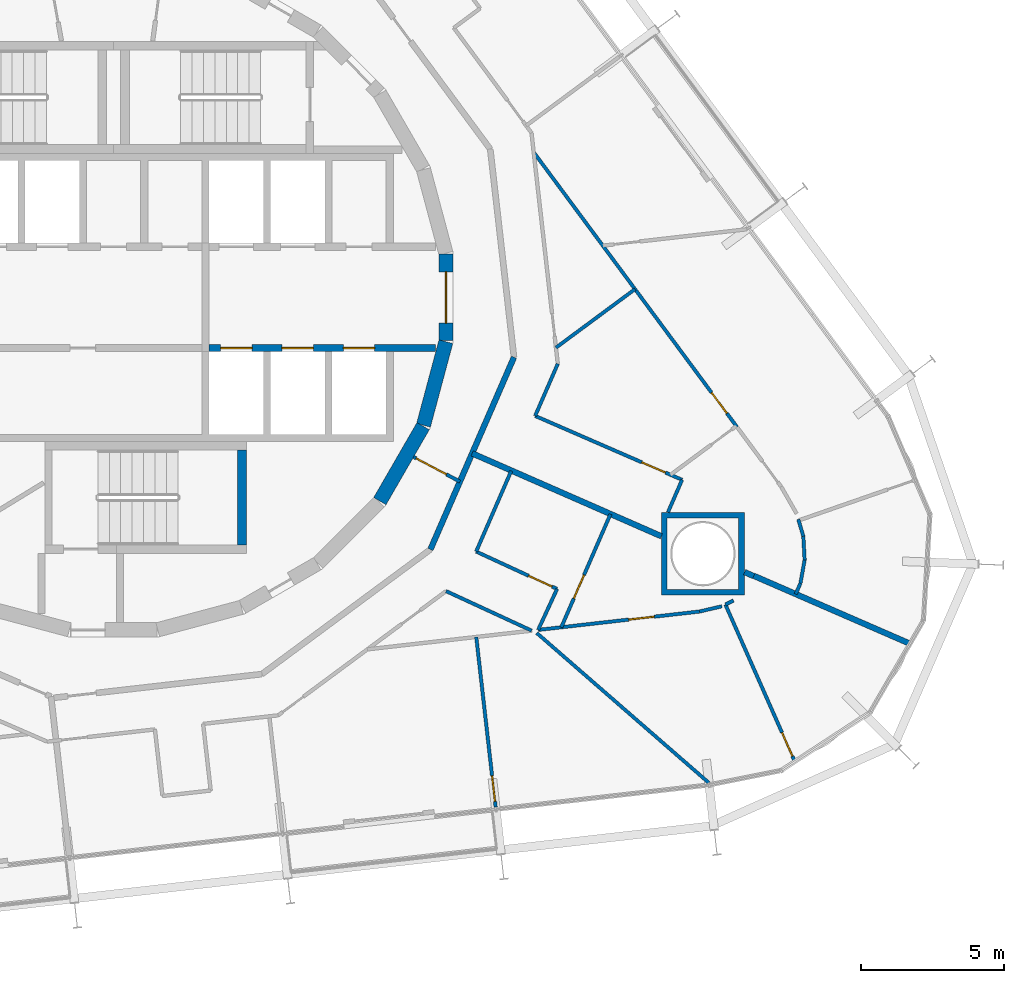
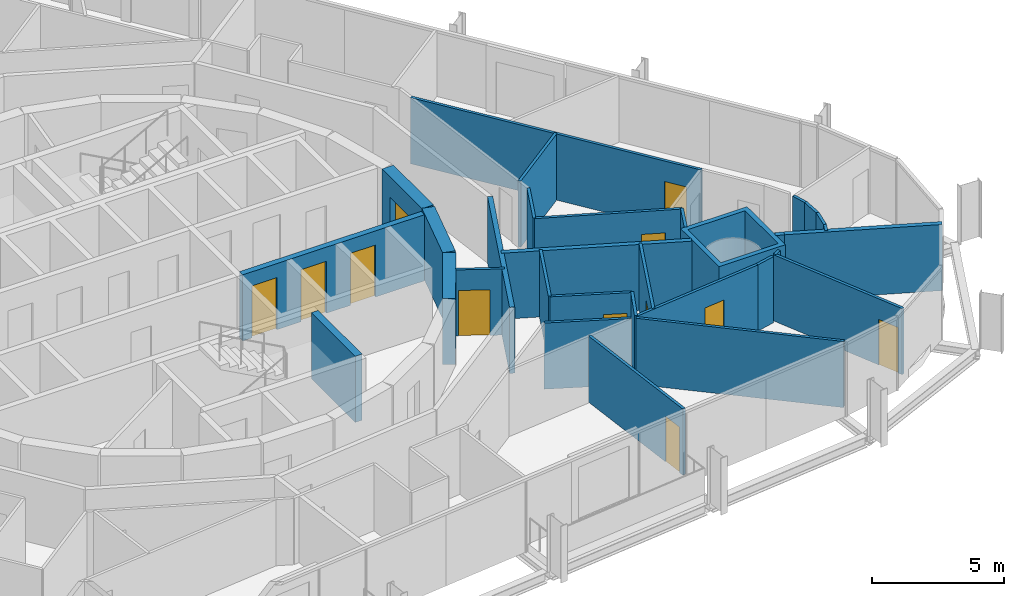
# One storey, part 19 of 23: 31 walls, 12 doors, 12 openings.
"""IFC4 building model written with IfcOpenShell, lengths in metres."""

from ifc_helpers import new_model, si_unit, direction, frame, frame_2d, origin, place, context, subcontext, project, spatial, polyline, rectangle, outline, extrude, material, layer, layer_set, type_object, element, fill, save


model = new_model("IFC4")

# Units and contexts
model_context = context("Model", 3, precision=1e-05, world=origin(), true_north=direction((0.0, 1.0)))
body_context = subcontext(model_context, "Body", "Model", "MODEL_VIEW")
ifc_project = project(units=[si_unit("LENGTHUNIT", "METRE"), si_unit("AREAUNIT", "SQUARE_METRE"), si_unit("VOLUMEUNIT", "CUBIC_METRE"), si_unit("PLANEANGLEUNIT", "RADIAN"), si_unit("MASSUNIT", "GRAM", prefix="KILO")], contexts=[model_context])

# Site, building, storey
site_placement = place(None, origin())
site = spatial("IfcSite", under=ifc_project, at=site_placement, CompositionType="ELEMENT")
building_placement = place(site_placement, origin())
building = spatial("IfcBuilding", under=site, at=building_placement, Name="Spindle Arch Residences", CompositionType="ELEMENT")
storey_placement = place(building_placement, frame((0.0, 0.0, 104.699951171875)))
storey = spatial("IfcBuildingStorey", under=building, at=storey_placement, Name="L25", CompositionType="ELEMENT", Elevation=104.699951171875)

# Walls
ifc_material_1 = material(Name="Concrete C50/60", Category="concrete")
ifc_layer_1 = layer(ifc_material_1, 0.5)
ifc_layer_set_1 = layer_set([ifc_layer_1], Name="Core outline wall 500")
wall_type_1 = type_object("IfcWallType", Name="Core outline wall 500", PredefinedType="SHEAR", material=ifc_layer_set_1)
for number, where, z_axis, x_axis, name in (
    (1, (9.32861328125, -7.13671875, 0.0), (0.0, 0.0, 1.0), (0.500087131594, 0.865975092491, 0.0), "Core outline wall 4"),
    (2, (10.858154296875, -4.479248046875, 0.0), (0.0, 0.0, 1.0), (0.258734743916, 0.965948410781, 0.0), "Core outline wall 5"),
):
    element("IfcWall", number, at=place(storey_placement, frame(where, z_axis=z_axis, x_axis=x_axis)), inside=storey, type_object=wall_type_1, Name=name, PredefinedType="SHEAR", context=body_context, shape_type="SweptSolid", body=[
        extrude(rectangle(XDim=3.03271484375, YDim=0.5, at=frame_2d((1.516357421875, 0.0))), origin(), (0.0, 0.0, 1.0), 3.050048828125),
    ])

# Wall, opening, door
wall_1_placement = place(storey_placement, frame((11.647216796875, -1.516357421875, 0.0), z_axis=(0.0, 0.0, 1.0), x_axis=(0.0, 1.0, 0.0)))
wall_1 = element("IfcWall", 3, at=wall_1_placement, inside=storey, type_object=wall_type_1, Name="Core outline wall 6", PredefinedType="SHEAR", context=body_context, shape_type="SweptSolid", body=[
    extrude(rectangle(XDim=3.03271484375, YDim=0.5, at=frame_2d((1.516357421875, 0.0))), origin(), (0.0, 0.0, 1.0), 3.050048828125),
])
opening_1_placement = place(wall_1_placement, frame((0.6162109375, 0.0, 0.0)))
opening_1 = element("IfcOpeningElement", 4, at=opening_1_placement, cuts=wall_1, Name="Opening R2C0-FE01", PredefinedType="OPENING", context=body_context, shape_type="SweptSolid", body=[
    extrude(rectangle(XDim=1.800048828125, YDim=2.10009765625, at=frame_2d((0.89990234375, 1.050048828125))), frame((0.0, 0.260009765625, 0.0), z_axis=(0.0, -1.0, 0.0), x_axis=(1.0, 0.0, 0.0)), (0.0, 0.0, 1.0), 0.52001953125),
])
ifc_material_2 = material(Name="Steel, fire-resisting door", Category="steel")
door_type_1 = type_object("IfcDoorType", Name="Fire-lift lobby door 1800x2100", OperationType="DOUBLE_DOOR_SINGLE_SWING", PredefinedType="DOOR", material=ifc_material_2)
door_1_placement = place(opening_1_placement, origin())
door_1 = element("IfcDoor", 5, at=door_1_placement, inside=storey, type_object=door_type_1, Name="Fire-lift lobby door R2C0-FE01", OperationType="DOUBLE_DOOR_SINGLE_SWING", OverallHeight=2.10009765625, OverallWidth=1.800048828125, PredefinedType="DOOR", context=body_context, shape_type="SweptSolid", body=[
    extrude(rectangle(XDim=1.800048828125, YDim=2.10009765625, at=frame_2d((0.89990234375, 1.050048828125))), frame((0.0, 0.02490234375, 0.0), z_axis=(0.0, -1.0, 0.0), x_axis=(1.0, 0.0, 0.0)), (0.0, 0.0, 1.0), 0.050048828125),
])
fill(opening_1, door_1)

ifc_material_3 = material(Name="Plasterboard on steel studs", Category="steel")
ifc_layer_2 = layer(ifc_material_3, 0.1201171875)
ifc_layer_set_2 = layer_set([ifc_layer_2], Name="Corridor division wall 120")
wall_type_2 = type_object("IfcWallType", Name="Corridor division wall 120", PredefinedType="PARTITIONING", material=ifc_layer_set_2)
wall_2_placement = place(storey_placement, frame((10.510986328125, -5.5888671875, 0.0), z_axis=(0.0, 0.0, 1.0), x_axis=(0.882962602189, -0.469443333253, 0.0)))
wall_2 = element("IfcWall", 6, at=wall_2_placement, inside=storey, type_object=wall_type_2, Name="Corridor division wall R2C0-W002", PredefinedType="PARTITIONING", context=body_context, shape_type="SweptSolid", body=[
    extrude(rectangle(XDim=1.837890625, YDim=0.1201171875, at=frame_2d((0.9189453125, 0.0))), origin(), (0.0, 0.0, 1.0), 3.050048828125),
])
opening_2_placement = place(wall_2_placement, frame((0.10009765625, 0.0, 0.0)))
opening_2 = element("IfcOpeningElement", 7, at=opening_2_placement, cuts=wall_2, Name="Opening R2C0-CD02", PredefinedType="OPENING", context=body_context, shape_type="SweptSolid", body=[
    extrude(rectangle(XDim=1.199951171875, YDim=2.10009765625, at=frame_2d((0.60009765625, 1.050048828125))), frame((0.0, 0.070068359375, 0.0), z_axis=(0.0, -1.0, 0.0), x_axis=(1.0, 0.0, 0.0)), (0.0, 0.0, 1.0), 0.14013671875),
])
ifc_material_4 = material(Name="Steel, fire-resisting door", Category="steel")
door_type_2 = type_object("IfcDoorType", Name="Corridor division door 1200x2100", OperationType="NOTDEFINED", PredefinedType="DOOR", material=ifc_material_4)
door_2_placement = place(opening_2_placement, origin())
door_2 = element("IfcDoor", 8, at=door_2_placement, inside=storey, type_object=door_type_2, Name="Corridor division door R2C0-CD02", OperationType="DOUBLE_DOOR_SINGLE_SWING", OverallHeight=2.10009765625, OverallWidth=1.199951171875, PredefinedType="DOOR", context=body_context, shape_type="SweptSolid", body=[
    extrude(rectangle(XDim=1.199951171875, YDim=2.10009765625, at=frame_2d((0.60009765625, 1.050048828125))), frame((0.0, 0.02490234375, 0.0), z_axis=(0.0, -1.0, 0.0), x_axis=(1.0, 0.0, 0.0)), (0.0, 0.0, 1.0), 0.050048828125),
])
fill(opening_2, door_2)

# Wall
ifc_material_5 = material(Name="Calcium silicate block, plastered")
ifc_layer_3 = layer(ifc_material_5, 0.199951171875)
ifc_layer_set_3 = layer_set([ifc_layer_3], Name="Corridor wall 200")
wall_type_3 = type_object("IfcWallType", Name="Corridor wall 200", PredefinedType="STANDARD", material=ifc_layer_set_3)
wall_3_placement = place(storey_placement, frame((11.10009765625, -8.829345703125, 0.0), z_axis=(0.0, 0.0, 1.0), x_axis=(0.398741918631, 0.917063183388, 0.0)))
element("IfcWall", 9, at=wall_3_placement, inside=storey, type_object=wall_type_3, Name="Corridor wall R2C0-W004", PredefinedType="STANDARD", context=body_context, shape_type="SweptSolid", body=[
    extrude(rectangle(XDim=7.341796875, YDim=0.199951171875, at=frame_2d((3.6708984375, 0.0))), origin(), (0.0, 0.0, 1.0), 3.050048828125),
])

# Wall, openings, doors
ifc_material_6 = material(Name="Concrete C50/60", Category="concrete")
ifc_layer_4 = layer(ifc_material_6, 0.25)
ifc_layer_set_4 = layer_set([ifc_layer_4], Name="Fire-lift shaft wall 250")
wall_type_4 = type_object("IfcWallType", Name="Fire-lift shaft wall 250", PredefinedType="SHEAR", material=ifc_layer_set_4)
wall_4_placement = place(storey_placement, frame((3.35009765625, -1.77490234375, 0.0), z_axis=(0.0, 0.0, 1.0), x_axis=(1.0, 0.0, 0.0)))
wall_4 = element("IfcWall", 10, at=wall_4_placement, inside=storey, type_object=wall_type_4, Name="Lift shaft front wall SE", PredefinedType="SHEAR", context=body_context, shape_type="SweptSolid", body=[
    extrude(rectangle(XDim=7.929931640625, YDim=0.25, at=frame_2d((3.96484375, 0.0))), origin(), (0.0, 0.0, 1.0), 3.050048828125),
])
opening_3_placement = place(wall_4_placement, frame((0.39990234375, 0.0, 0.0)))
opening_3 = element("IfcOpeningElement", 11, at=opening_3_placement, cuts=wall_4, Name="Opening R2C0-FLD01", PredefinedType="OPENING", context=body_context, shape_type="SweptSolid", body=[
    extrude(rectangle(XDim=1.10009765625, YDim=2.39990234375, at=frame_2d((0.550048828125, 1.199951171875))), frame((0.0, 0.135009765625, 0.0), z_axis=(0.0, -1.0, 0.0), x_axis=(1.0, 0.0, 0.0)), (0.0, 0.0, 1.0), 0.27001953125),
])
opening_4_placement = place(wall_4_placement, frame((2.550048828125, 0.0, 0.0)))
opening_4 = element("IfcOpeningElement", 12, at=opening_4_placement, cuts=wall_4, Name="Opening R2C0-FLD02", PredefinedType="OPENING", context=body_context, shape_type="SweptSolid", body=[
    extrude(rectangle(XDim=1.10009765625, YDim=2.39990234375, at=frame_2d((0.550048828125, 1.199951171875))), frame((0.0, 0.135009765625, 0.0), z_axis=(0.0, -1.0, 0.0), x_axis=(1.0, 0.0, 0.0)), (0.0, 0.0, 1.0), 0.27001953125),
])
opening_5_placement = place(wall_4_placement, frame((4.699951171875, 0.0, 0.0)))
opening_5 = element("IfcOpeningElement", 13, at=opening_5_placement, cuts=wall_4, Name="Opening R2C0-FLD03", PredefinedType="OPENING", context=body_context, shape_type="SweptSolid", body=[
    extrude(rectangle(XDim=1.10009765625, YDim=2.39990234375, at=frame_2d((0.550048828125, 1.199951171875))), frame((0.0, 0.135009765625, 0.0), z_axis=(0.0, -1.0, 0.0), x_axis=(1.0, 0.0, 0.0)), (0.0, 0.0, 1.0), 0.27001953125),
])
ifc_material_7 = material(Name="Steel, fire-resisting landing door", Category="steel")
door_type_3 = type_object("IfcDoorType", Name="Fire-fighting lift landing door 1100x2400", OperationType="DOUBLE_DOOR_SLIDING", PredefinedType="DOOR", material=ifc_material_7)
door_3_placement = place(opening_3_placement, origin())
door_3 = element("IfcDoor", 14, at=door_3_placement, inside=storey, type_object=door_type_3, Name="Fire-fighting lift landing door R2C0-FLD01", OperationType="DOUBLE_DOOR_SLIDING", OverallHeight=2.39990234375, OverallWidth=1.10009765625, PredefinedType="DOOR", context=body_context, shape_type="SweptSolid", body=[
    extrude(rectangle(XDim=1.10009765625, YDim=2.39990234375, at=frame_2d((0.550048828125, 1.199951171875))), frame((0.0, 0.02490234375, 0.0), z_axis=(0.0, -1.0, 0.0), x_axis=(1.0, 0.0, 0.0)), (0.0, 0.0, 1.0), 0.050048828125),
])
fill(opening_3, door_3)
door_4_placement = place(opening_4_placement, origin())
door_4 = element("IfcDoor", 15, at=door_4_placement, inside=storey, type_object=door_type_3, Name="Fire-fighting lift landing door R2C0-FLD02", OperationType="DOUBLE_DOOR_SLIDING", OverallHeight=2.39990234375, OverallWidth=1.10009765625, PredefinedType="DOOR", context=body_context, shape_type="SweptSolid", body=[
    extrude(rectangle(XDim=1.10009765625, YDim=2.39990234375, at=frame_2d((0.550048828125, 1.199951171875))), frame((0.0, 0.02490234375, 0.0), z_axis=(0.0, -1.0, 0.0), x_axis=(1.0, 0.0, 0.0)), (0.0, 0.0, 1.0), 0.050048828125),
])
fill(opening_4, door_4)
door_5_placement = place(opening_5_placement, origin())
door_5 = element("IfcDoor", 16, at=door_5_placement, inside=storey, type_object=door_type_3, Name="Fire-fighting lift landing door R2C0-FLD03", OperationType="DOUBLE_DOOR_SLIDING", OverallHeight=2.39990234375, OverallWidth=1.10009765625, PredefinedType="DOOR", context=body_context, shape_type="SweptSolid", body=[
    extrude(rectangle(XDim=1.10009765625, YDim=2.39990234375, at=frame_2d((0.550048828125, 1.199951171875))), frame((0.0, 0.02490234375, 0.0), z_axis=(0.0, -1.0, 0.0), x_axis=(1.0, 0.0, 0.0)), (0.0, 0.0, 1.0), 0.050048828125),
])
fill(opening_5, door_5)

# Wall
ifc_material_8 = material(Name="Plasterboard on steel studs", Category="steel")
ifc_layer_5 = layer(ifc_material_8, 0.1201171875)
ifc_layer_set_5 = layer_set([ifc_layer_5], Name="Flat partition 120")
wall_type_5 = type_object("IfcWallType", Name="Flat partition 120", PredefinedType="PARTITIONING", material=ifc_layer_set_5)
wall_5_placement = place(storey_placement, frame((19.4228515625, -7.52783203125, 0.0), z_axis=(0.0, 0.0, 1.0), x_axis=(0.398733304334, 0.917066928863, 0.0)))
element("IfcWall", 17, at=wall_5_placement, inside=storey, type_object=wall_type_5, Name="Flat partition R2C0-W035", PredefinedType="PARTITIONING", context=body_context, shape_type="SweptSolid", body=[
    extrude(rectangle(XDim=1.2412109375, YDim=0.1201171875, at=frame_2d((0.62060546875, 0.0))), origin(), (0.0, 0.0, 1.0), 3.050048828125),
])

# Wall, opening, door
wall_6_placement = place(storey_placement, frame((19.917724609375, -6.3896484375, 0.0), z_axis=(0.0, 0.0, 1.0), x_axis=(-0.917051386612, 0.39876904884, 0.0)))
wall_6 = element("IfcWall", 18, at=wall_6_placement, inside=storey, type_object=wall_type_5, Name="Flat partition R2C0-W036", PredefinedType="PARTITIONING", context=body_context, shape_type="SweptSolid", body=[
    extrude(rectangle(XDim=5.613525390625, YDim=0.1201171875, at=frame_2d((2.806640625, 0.0))), origin(), (0.0, 0.0, 1.0), 3.050048828125),
])
opening_6_placement = place(wall_6_placement, frame((0.641357421875, 0.0, 0.0)))
opening_6 = element("IfcOpeningElement", 19, at=opening_6_placement, cuts=wall_6, Name="Opening R2C0-ID02A", PredefinedType="OPENING", context=body_context, shape_type="SweptSolid", body=[
    extrude(rectangle(XDim=0.89990234375, YDim=2.0, at=frame_2d((0.449951171875, 1.0))), frame((0.0, 0.070068359375, 0.0), z_axis=(0.0, -1.0, 0.0), x_axis=(1.0, 0.0, 0.0)), (0.0, 0.0, 1.0), 0.14013671875),
])
ifc_material_9 = material(Name="Timber door set", Category="wood")
door_type_4 = type_object("IfcDoorType", Name="Room door 900x2000", OperationType="NOTDEFINED", PredefinedType="DOOR", material=ifc_material_9)
door_6_placement = place(opening_6_placement, origin())
door_6 = element("IfcDoor", 20, at=door_6_placement, inside=storey, type_object=door_type_4, Name="Room door R2C0-ID02A", OperationType="SINGLE_SWING_LEFT", OverallHeight=2.0, OverallWidth=0.89990234375, PredefinedType="DOOR", context=body_context, shape_type="SweptSolid", body=[
    extrude(rectangle(XDim=0.89990234375, YDim=2.0, at=frame_2d((0.449951171875, 1.0))), frame((0.0, 0.02490234375, 0.0), z_axis=(0.0, -1.0, 0.0), x_axis=(1.0, 0.0, 0.0)), (0.0, 0.0, 1.0), 0.050048828125),
])
fill(opening_6, door_6)

# Wall
wall_7_placement = place(storey_placement, frame((14.769775390625, -4.151123046875, 0.0), z_axis=(0.0, 0.0, 1.0), x_axis=(0.39868125503, 0.917089557725, 0.0)))
element("IfcWall", 21, at=wall_7_placement, inside=storey, type_object=wall_type_5, Name="Flat partition R2C0-W037", PredefinedType="PARTITIONING", context=body_context, shape_type="SweptSolid", body=[
    extrude(rectangle(XDim=1.990234375, YDim=0.1201171875, at=frame_2d((0.9951171875, 0.0))), origin(), (0.0, 0.0, 1.0), 3.050048828125),
])

# Wall, opening, door
wall_8_placement = place(storey_placement, frame((21.842041015625, -4.539794921875, 0.0), z_axis=(0.0, 0.0, 1.0), x_axis=(-0.59481744951, 0.803860809941, 0.0)))
wall_8 = element("IfcWall", 22, at=wall_8_placement, inside=storey, type_object=wall_type_5, Name="Flat partition R2C0-W038", PredefinedType="PARTITIONING", context=body_context, shape_type="SweptSolid", body=[
    extrude(rectangle(XDim=11.9755859375, YDim=0.1201171875, at=frame_2d((5.98779296875, 0.0))), origin(), (0.0, 0.0, 1.0), 3.050048828125),
])
opening_7_placement = place(wall_8_placement, frame((0.60009765625, 0.0, 0.0)))
opening_7 = element("IfcOpeningElement", 23, at=opening_7_placement, cuts=wall_8, Name="Opening R2C0-ID04", PredefinedType="OPENING", context=body_context, shape_type="SweptSolid", body=[
    extrude(rectangle(XDim=0.89990234375, YDim=2.10009765625, at=frame_2d((0.449951171875, 1.050048828125))), frame((0.0, 0.070068359375, 0.0), z_axis=(0.0, -1.0, 0.0), x_axis=(1.0, 0.0, 0.0)), (0.0, 0.0, 1.0), 0.14013671875),
])
ifc_material_10 = material(Name="Timber door set", Category="wood")
door_type_5 = type_object("IfcDoorType", Name="Room door 900x2100", OperationType="NOTDEFINED", PredefinedType="DOOR", material=ifc_material_10)
door_7_placement = place(opening_7_placement, origin())
door_7 = element("IfcDoor", 24, at=door_7_placement, inside=storey, type_object=door_type_5, Name="Room door R2C0-ID04", OperationType="SINGLE_SWING_LEFT", OverallHeight=2.10009765625, OverallWidth=0.89990234375, PredefinedType="DOOR", context=body_context, shape_type="SweptSolid", body=[
    extrude(rectangle(XDim=0.89990234375, YDim=2.10009765625, at=frame_2d((0.449951171875, 1.050048828125))), frame((0.0, 0.02490234375, 0.0), z_axis=(0.0, -1.0, 0.0), x_axis=(1.0, 0.0, 0.0)), (0.0, 0.0, 1.0), 0.050048828125),
])
fill(opening_7, door_7)

# Walls
wall_9_placement = place(storey_placement, frame((15.498779296875, -1.760009765625, 0.0), z_axis=(0.0, 0.0, 1.0), x_axis=(0.803852063114, 0.59482927015, 0.0)))
element("IfcWall", 25, at=wall_9_placement, inside=storey, type_object=wall_type_5, Name="Flat partition R2C0-W039", PredefinedType="PARTITIONING", context=body_context, shape_type="SweptSolid", body=[
    extrude(rectangle(XDim=3.445556640625, YDim=0.1201171875, at=frame_2d((1.72265625, 0.0))), origin(), (0.0, 0.0, 1.0), 3.050048828125),
])
wall_10_placement = place(storey_placement, frame((23.989501953125, -7.77490234375, 0.0), z_axis=(0.0, 0.0, 1.0), x_axis=(0.284088329691, -0.958798112708, 0.0)))
element("IfcWall", 26, at=wall_10_placement, inside=storey, type_object=wall_type_5, Name="Flat partition R2C0-W042", PredefinedType="PARTITIONING", context=body_context, shape_type="SweptSolid", body=[
    extrude(rectangle(XDim=0.61865234375, YDim=0.1201171875, at=frame_2d((0.309326171875, 0.0))), origin(), (0.0, 0.0, 1.0), 3.050048828125),
])
for number, where, z_axis, x_axis, name in (
    (27, (24.165283203125, -8.3681640625, 0.0), (0.0, 0.0, 1.0), (0.055078507089, -0.998482026907, 0.0), "Flat partition R2C0-W043"),
    (28, (24.2109375, -9.19580078125, 0.0), (0.0, 0.0, 1.0), (-0.176422619083, -0.984314512479, 0.0), "Flat partition R2C0-W044"),
):
    element("IfcWall", number, at=place(storey_placement, frame(where, z_axis=z_axis, x_axis=x_axis)), inside=storey, type_object=wall_type_5, Name=name, PredefinedType="PARTITIONING", context=body_context, shape_type="SweptSolid", body=[
        extrude(rectangle(XDim=0.828857421875, YDim=0.1201171875, at=frame_2d((0.41455078125, 0.0))), origin(), (0.0, 0.0, 1.0), 3.050048828125),
    ])
wall_11_placement = place(storey_placement, frame((24.064697265625, -10.01171875, 0.0), z_axis=(0.0, 0.0, 1.0), x_axis=(-0.398747648376, -0.917060692056, 0.0)))
element("IfcWall", 29, at=wall_11_placement, inside=storey, type_object=wall_type_5, Name="Flat partition R2C0-W045", PredefinedType="PARTITIONING", context=body_context, shape_type="SweptSolid", body=[
    extrude(rectangle(XDim=0.41455078125, YDim=0.1201171875, at=frame_2d((0.207275390625, 0.0))), origin(), (0.0, 0.0, 1.0), 3.050048828125),
])
wall_12_placement = place(storey_placement, frame((11.648681640625, -10.289306640625, 0.0), z_axis=(0.0, 0.0, 1.0), x_axis=(0.9079269461, -0.419128453514, 0.0)))
element("IfcWall", 30, at=wall_12_placement, inside=storey, type_object=wall_type_5, Name="Flat partition R2C0-W118", PredefinedType="PARTITIONING", context=body_context, shape_type="SweptSolid", body=[
    extrude(rectangle(XDim=3.304443359375, YDim=0.1201171875, at=frame_2d((1.65234375, 0.0))), origin(), (0.0, 0.0, 1.0), 3.050048828125),
])
wall_13_placement = place(storey_placement, frame((14.87548828125, -11.6484375, 0.0), z_axis=(0.0, 0.0, 1.0), x_axis=(0.419087543301, 0.90794583046, 0.0)))
element("IfcWall", 31, at=wall_13_placement, inside=storey, type_object=wall_type_5, Name="Flat partition R2C0-W119", PredefinedType="PARTITIONING", context=body_context, shape_type="SweptSolid", body=[
    extrude(rectangle(XDim=1.58154296875, YDim=0.1201171875, at=frame_2d((0.790771484375, 0.0))), origin(), (0.0, 0.0, 1.0), 3.050048828125),
])

# Wall, opening, door
wall_14_placement = place(storey_placement, frame((15.538330078125, -10.21240234375, 0.0), z_axis=(0.0, 0.0, 1.0), x_axis=(-0.907941075756, 0.419097844131, 0.0)))
wall_14 = element("IfcWall", 32, at=wall_14_placement, inside=storey, type_object=wall_type_5, Name="Flat partition R2C0-W120", PredefinedType="PARTITIONING", context=body_context, shape_type="SweptSolid", body=[
    extrude(rectangle(XDim=3.122314453125, YDim=0.1201171875, at=frame_2d((1.56103515625, 0.0))), origin(), (0.0, 0.0, 1.0), 3.050048828125),
])
opening_8_placement = place(wall_14_placement, frame((0.199951171875, 0.0, 0.0)))
opening_8 = element("IfcOpeningElement", 33, at=opening_8_placement, cuts=wall_14, Name="Opening R2C0-ID34", PredefinedType="OPENING", context=body_context, shape_type="SweptSolid", body=[
    extrude(rectangle(XDim=0.89990234375, YDim=2.10009765625, at=frame_2d((0.449951171875, 1.050048828125))), frame((0.0, 0.070068359375, 0.0), z_axis=(0.0, -1.0, 0.0), x_axis=(1.0, 0.0, 0.0)), (0.0, 0.0, 1.0), 0.14013671875),
])
door_8_placement = place(opening_8_placement, origin())
door_8 = element("IfcDoor", 34, at=door_8_placement, inside=storey, type_object=door_type_5, Name="Room door R2C0-ID34", OperationType="SINGLE_SWING_LEFT", OverallHeight=2.10009765625, OverallWidth=0.89990234375, PredefinedType="DOOR", context=body_context, shape_type="SweptSolid", body=[
    extrude(rectangle(XDim=0.89990234375, YDim=2.10009765625, at=frame_2d((0.449951171875, 1.050048828125))), frame((0.0, 0.02490234375, 0.0), z_axis=(0.0, -1.0, 0.0), x_axis=(1.0, 0.0, 0.0)), (0.0, 0.0, 1.0), 0.050048828125),
])
fill(opening_8, door_8)

# Wall
wall_15_placement = place(storey_placement, frame((12.703369140625, -8.90380859375, 0.0), z_axis=(0.0, 0.0, 1.0), x_axis=(0.398679720725, 0.917090224723, 0.0)))
element("IfcWall", 35, at=wall_15_placement, inside=storey, type_object=wall_type_5, Name="Flat partition R2C0-W121", PredefinedType="PARTITIONING", context=body_context, shape_type="SweptSolid", body=[
    extrude(rectangle(XDim=3.0791015625, YDim=0.1201171875, at=frame_2d((1.53955078125, 0.0))), origin(), (0.0, 0.0, 1.0), 3.050048828125),
])

# Wall, opening, door
wall_16_placement = place(storey_placement, frame((13.3857421875, -17.85693359375, 0.0), z_axis=(0.0, 0.0, 1.0), x_axis=(-0.113200012983, 0.993572220355, 0.0)))
wall_16 = element("IfcWall", 36, at=wall_16_placement, inside=storey, type_object=wall_type_5, Name="Flat partition R2C0-W124", PredefinedType="PARTITIONING", context=body_context, shape_type="SweptSolid", body=[
    extrude(rectangle(XDim=6.0, YDim=0.1201171875, at=frame_2d((3.0, 0.0))), origin(), (0.0, 0.0, 1.0), 3.050048828125),
])
opening_9_placement = place(wall_16_placement, frame((0.199951171875, 0.0, 0.0)))
opening_9 = element("IfcOpeningElement", 37, at=opening_9_placement, cuts=wall_16, Name="Opening R2C0-ID36", PredefinedType="OPENING", context=body_context, shape_type="SweptSolid", body=[
    extrude(rectangle(XDim=0.89990234375, YDim=2.10009765625, at=frame_2d((0.449951171875, 1.050048828125))), frame((0.0, 0.070068359375, 0.0), z_axis=(0.0, -1.0, 0.0), x_axis=(1.0, 0.0, 0.0)), (0.0, 0.0, 1.0), 0.14013671875),
])
door_9_placement = place(opening_9_placement, origin())
door_9 = element("IfcDoor", 38, at=door_9_placement, inside=storey, type_object=door_type_5, Name="Room door R2C0-ID36", OperationType="SINGLE_SWING_RIGHT", OverallHeight=2.10009765625, OverallWidth=0.89990234375, PredefinedType="DOOR", context=body_context, shape_type="SweptSolid", body=[
    extrude(rectangle(XDim=0.89990234375, YDim=2.10009765625, at=frame_2d((0.449951171875, 1.050048828125))), frame((0.0, 0.02490234375, 0.0), z_axis=(0.0, -1.0, 0.0), x_axis=(1.0, 0.0, 0.0)), (0.0, 0.0, 1.0), 0.050048828125),
])
fill(opening_9, door_9)

# Wall
wall_17_placement = place(storey_placement, frame((20.856201171875, -17.005859375, 0.0), z_axis=(0.0, 0.0, 1.0), x_axis=(-0.75423134567, 0.656608770281, 0.0)))
element("IfcWall", 39, at=wall_17_placement, inside=storey, type_object=wall_type_5, Name="Flat partition R2C0-W125", PredefinedType="PARTITIONING", context=body_context, shape_type="SweptSolid", body=[
    extrude(rectangle(XDim=7.995361328125, YDim=0.1201171875, at=frame_2d((3.99755859375, 0.0))), origin(), (0.0, 0.0, 1.0), 3.050048828125),
])

# Wall, opening, door
wall_18_placement = place(storey_placement, frame((20.52685546875, -11.00439453125, 0.0), z_axis=(0.0, 0.0, 1.0), x_axis=(-0.993568869194, -0.113229422712, 0.0)))
wall_18 = element("IfcWall", 40, at=wall_18_placement, inside=storey, type_object=wall_type_5, Name="Flat partition R2C0-W126", PredefinedType="PARTITIONING", context=body_context, shape_type="SweptSolid", body=[
    extrude(rectangle(XDim=5.68798828125, YDim=0.1201171875, at=frame_2d((2.843994140625, 0.0))), origin(), (0.0, 0.0, 1.0), 3.050048828125),
])
opening_10_placement = place(wall_18_placement, frame((1.60009765625, 0.0, 0.0)))
opening_10 = element("IfcOpeningElement", 41, at=opening_10_placement, cuts=wall_18, Name="Opening R2C0-ID37", PredefinedType="OPENING", context=body_context, shape_type="SweptSolid", body=[
    extrude(rectangle(XDim=0.89990234375, YDim=2.10009765625, at=frame_2d((0.449951171875, 1.050048828125))), frame((0.0, 0.070068359375, 0.0), z_axis=(0.0, -1.0, 0.0), x_axis=(1.0, 0.0, 0.0)), (0.0, 0.0, 1.0), 0.14013671875),
])
door_10_placement = place(opening_10_placement, origin())
door_10 = element("IfcDoor", 42, at=door_10_placement, inside=storey, type_object=door_type_5, Name="Room door R2C0-ID37", OperationType="SINGLE_SWING_RIGHT", OverallHeight=2.10009765625, OverallWidth=0.89990234375, PredefinedType="DOOR", context=body_context, shape_type="SweptSolid", body=[
    extrude(rectangle(XDim=0.89990234375, YDim=2.10009765625, at=frame_2d((0.449951171875, 1.050048828125))), frame((0.0, 0.02490234375, 0.0), z_axis=(0.0, -1.0, 0.0), x_axis=(1.0, 0.0, 0.0)), (0.0, 0.0, 1.0), 0.050048828125),
])
fill(opening_10, door_10)

# Wall
wall_19_placement = place(storey_placement, frame((21.3125, -10.82080078125, 0.0), z_axis=(0.0, 0.0, 1.0), x_axis=(-0.973765266404, -0.227554841621, 0.0)))
element("IfcWall", 43, at=wall_19_placement, inside=storey, type_object=wall_type_5, Name="Flat partition R2C0-W127", PredefinedType="PARTITIONING", context=body_context, shape_type="SweptSolid", body=[
    extrude(rectangle(XDim=0.806884765625, YDim=0.1201171875, at=frame_2d((0.4033203125, 0.0))), origin(), (0.0, 0.0, 1.0), 3.050048828125),
])

# Wall, opening, door
wall_20_placement = place(storey_placement, frame((23.863525390625, -16.253173828125, 0.0), z_axis=(0.0, 0.0, 1.0), x_axis=(-0.404274566917, 0.914637673915, 0.0)))
wall_20 = element("IfcWall", 44, at=wall_20_placement, inside=storey, type_object=wall_type_5, Name="Flat partition R2C0-W128", PredefinedType="PARTITIONING", context=body_context, shape_type="SweptSolid", body=[
    extrude(rectangle(XDim=6.00634765625, YDim=0.1201171875, at=frame_2d((3.003173828125, 0.0))), origin(), (0.0, 0.0, 1.0), 3.050048828125),
])
opening_11_placement = place(wall_20_placement, frame((0.199951171875, 0.0, 0.0)))
opening_11 = element("IfcOpeningElement", 45, at=opening_11_placement, cuts=wall_20, Name="Opening R2C0-ID38", PredefinedType="OPENING", context=body_context, shape_type="SweptSolid", body=[
    extrude(rectangle(XDim=0.89990234375, YDim=2.10009765625, at=frame_2d((0.449951171875, 1.050048828125))), frame((0.0, 0.070068359375, 0.0), z_axis=(0.0, -1.0, 0.0), x_axis=(1.0, 0.0, 0.0)), (0.0, 0.0, 1.0), 0.14013671875),
])
door_11_placement = place(opening_11_placement, origin())
door_11 = element("IfcDoor", 46, at=door_11_placement, inside=storey, type_object=door_type_5, Name="Room door R2C0-ID38", OperationType="SINGLE_SWING_RIGHT", OverallHeight=2.10009765625, OverallWidth=0.89990234375, PredefinedType="DOOR", context=body_context, shape_type="SweptSolid", body=[
    extrude(rectangle(XDim=0.89990234375, YDim=2.10009765625, at=frame_2d((0.449951171875, 1.050048828125))), frame((0.0, 0.02490234375, 0.0), z_axis=(0.0, -1.0, 0.0), x_axis=(1.0, 0.0, 0.0)), (0.0, 0.0, 1.0), 0.050048828125),
])
fill(opening_11, door_11)

wall_21_placement = place(storey_placement, frame((15.685546875, -11.55615234375, 0.0), z_axis=(0.0, 0.0, 1.0), x_axis=(0.398740569839, 0.917063769846, 0.0)))
wall_21 = element("IfcWall", 47, at=wall_21_placement, inside=storey, type_object=wall_type_5, Name="Flat partition R2C0-W129", PredefinedType="PARTITIONING", context=body_context, shape_type="SweptSolid", body=[
    extrude(rectangle(XDim=4.322021484375, YDim=0.1201171875, at=frame_2d((2.1611328125, 0.0))), origin(), (0.0, 0.0, 1.0), 3.050048828125),
])
opening_12_placement = place(wall_21_placement, frame((1.10009765625, 0.0, 0.0)))
opening_12 = element("IfcOpeningElement", 48, at=opening_12_placement, cuts=wall_21, Name="Opening R2C0-ID35", PredefinedType="OPENING", context=body_context, shape_type="SweptSolid", body=[
    extrude(rectangle(XDim=0.89990234375, YDim=2.10009765625, at=frame_2d((0.449951171875, 1.050048828125))), frame((0.0, 0.070068359375, 0.0), z_axis=(0.0, -1.0, 0.0), x_axis=(1.0, 0.0, 0.0)), (0.0, 0.0, 1.0), 0.14013671875),
])
door_12_placement = place(opening_12_placement, origin())
door_12 = element("IfcDoor", 49, at=door_12_placement, inside=storey, type_object=door_type_5, Name="Room door R2C0-ID35", OperationType="SINGLE_SWING_RIGHT", OverallHeight=2.10009765625, OverallWidth=0.89990234375, PredefinedType="DOOR", context=body_context, shape_type="SweptSolid", body=[
    extrude(rectangle(XDim=0.89990234375, YDim=2.10009765625, at=frame_2d((0.449951171875, 1.050048828125))), frame((0.0, 0.02490234375, 0.0), z_axis=(0.0, -1.0, 0.0), x_axis=(1.0, 0.0, 0.0)), (0.0, 0.0, 1.0), 0.050048828125),
])
fill(opening_12, door_12)

# Walls
wall_22_placement = place(storey_placement, frame((21.435302734375, -10.759521484375, 0.0), z_axis=(0.0, 0.0, 1.0), x_axis=(0.895041493646, 0.445982874841, 0.0)))
element("IfcWall", 50, at=wall_22_placement, inside=storey, type_object=wall_type_5, Name="Flat partition R2C0-W130", PredefinedType="PARTITIONING", context=body_context, shape_type="SweptSolid", body=[
    extrude(rectangle(XDim=0.3173828125, YDim=0.1201171875, at=frame_2d((0.15869140625, 0.0))), origin(), (0.0, 0.0, 1.0), 3.050048828125),
])
ifc_material_11 = material(Name="Calcium silicate block, plastered")
ifc_layer_6 = layer(ifc_material_11, 0.199951171875)
ifc_layer_set_6 = layer_set([ifc_layer_6], Name="Flat party wall 200")
wall_type_6 = type_object("IfcWallType", Name="Flat party wall 200", PredefinedType="STANDARD", material=ifc_layer_set_6)
wall_23_placement = place(storey_placement, frame((12.563720703125, -5.462890625, 0.0), z_axis=(0.0, 0.0, 1.0), x_axis=(0.915914014963, -0.401374534812, 0.0)))
element("IfcWall", 51, at=wall_23_placement, inside=storey, type_object=wall_type_6, Name="Flat party wall R2C0-W017", PredefinedType="STANDARD", context=body_context, shape_type="SweptSolid", body=[
    extrude(rectangle(XDim=7.23583984375, YDim=0.199951171875, at=frame_2d((3.617919921875, 0.0))), origin(), (0.0, 0.0, 1.0), 3.050048828125),
])
wall_24_placement = place(storey_placement, frame((22.43212890625, -9.75390625, 0.0), z_axis=(0.0, 0.0, 1.0), x_axis=(0.917071996944, -0.398721647797, 0.0)))
element("IfcWall", 52, at=wall_24_placement, inside=storey, type_object=wall_type_6, Name="Flat party wall R2C0-W018", PredefinedType="STANDARD", context=body_context, shape_type="SweptSolid", body=[
    extrude(rectangle(XDim=6.0, YDim=0.199951171875, at=frame_2d((3.0, 0.0))), origin(), (0.0, 0.0, 1.0), 3.050048828125),
])
wall_25_placement = place(storey_placement, frame((22.107666015625, -9.62353515625, 0.0), z_axis=(0.0, 0.0, 1.0), x_axis=(0.917036741673, -0.398802726196, 0.0)))
element("IfcWall", 53, at=wall_25_placement, inside=storey, type_object=wall_type_6, Name="Flat party wall R2C0-W019", PredefinedType="STANDARD", context=body_context, shape_type="SweptSolid", body=[
    extrude(rectangle(XDim=0.349609375, YDim=0.199951171875, at=frame_2d((0.1748046875, 0.0))), origin(), (0.0, 0.0, 1.0), 3.050048828125),
])
ifc_material_12 = material(Name="Calcium silicate block, plastered")
ifc_layer_7 = layer(ifc_material_12, 0.199951171875)
ifc_layer_set_7 = layer_set([ifc_layer_7], Name="Mega-column casing wall 200")
wall_type_7 = type_object("IfcWallType", Name="Mega-column casing wall 200", PredefinedType="STANDARD", material=ifc_layer_set_7)
wall_26_placement = place(storey_placement, origin())
element("IfcWall", 54, at=wall_26_placement, inside=storey, type_object=wall_type_7, Name="Mega-column casing wall R2C0-WC03", PredefinedType="STANDARD", context=body_context, shape_type="SweptSolid", body=[
    extrude(outline(polyline([(22.09765625, -7.52783203125), (22.09765625, -10.427734375), (19.197509765625, -10.427734375), (19.197509765625, -7.52783203125), (22.09765625, -7.52783203125)]), holes=[polyline([(19.397705078125, -10.227783203125), (21.897705078125, -10.227783203125), (21.897705078125, -7.727783203125), (19.397705078125, -7.727783203125), (19.397705078125, -10.227783203125)])]), origin(), (0.0, 0.0, 1.0), 3.050048828125),
])
ifc_material_13 = material(Name="Concrete C50/60", Category="concrete")
ifc_layer_8 = layer(ifc_material_13, 0.300048828125)
ifc_layer_set_8 = layer_set([ifc_layer_8], Name="Stair enclosure wall 300")
wall_type_8 = type_object("IfcWallType", Name="Stair enclosure wall 300", PredefinedType="SHEAR", material=ifc_layer_set_8)
wall_27_placement = place(storey_placement, frame((4.5, -8.669921875, 0.0), z_axis=(0.0, 0.0, 1.0), x_axis=(0.0, 1.0, 0.0)))
element("IfcWall", 55, at=wall_27_placement, inside=storey, type_object=wall_type_8, Name="Stair ST-3 enclosure wall E", PredefinedType="SHEAR", context=body_context, shape_type="SweptSolid", body=[
    extrude(rectangle(XDim=3.31982421875, YDim=0.300048828125, at=frame_2d((1.659912109375, 0.0))), origin(), (0.0, 0.0, 1.0), 3.050048828125),
])

save(model, "model.ifc")
